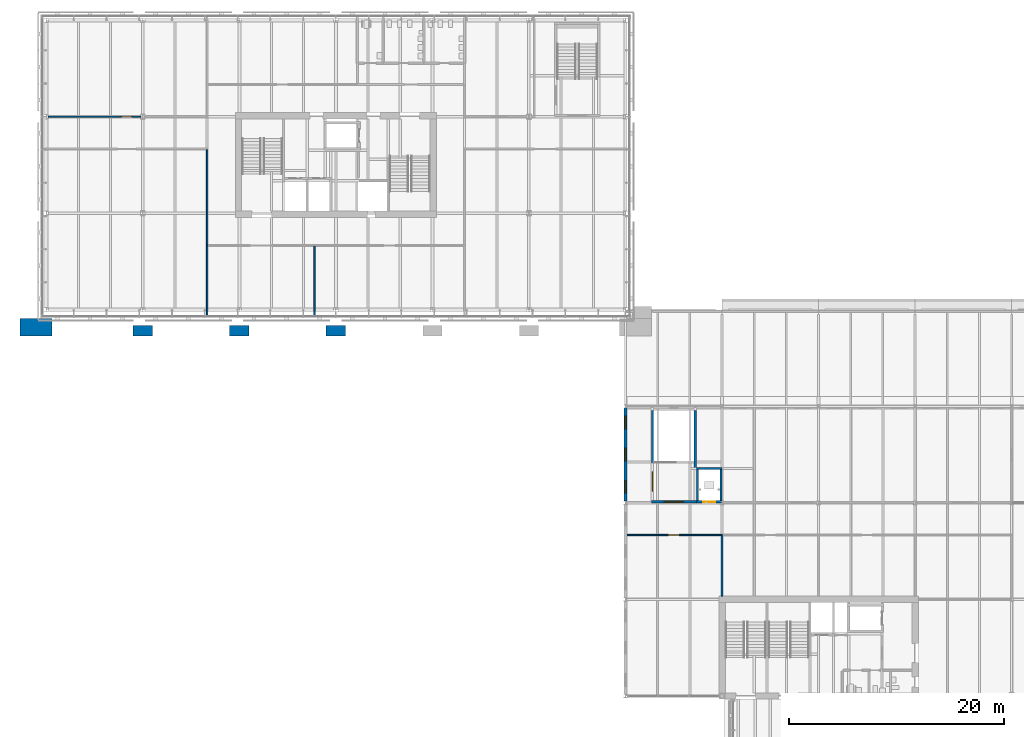
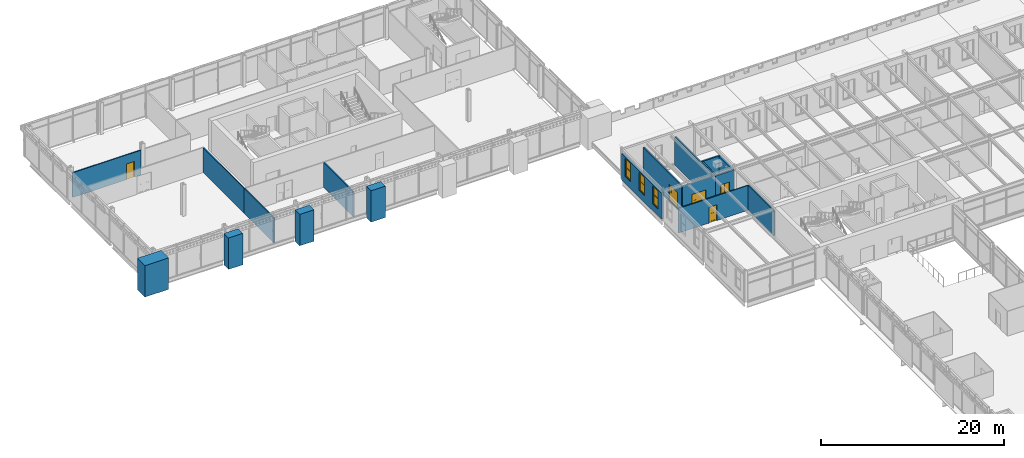
# One storey, part 67 of 123: 18 walls, 5 doors, 3 windows, 8 openings.
"""IFC4 building model written with IfcOpenShell, lengths in metres."""

import ifcopenshell
import ifcopenshell.guid

model = None  # the IFC model being written
_history = None  # IfcOwnerHistory: only IFC2X3 demands one
_inside = {}  # id of a spatial element -> (the spatial element, [elements in it])
_under = {}  # id of a project, library or spatial element -> (it, [spatial elements below it])
_declared = {}  # id of a project -> (the project, [libraries it declares])
_typed = {}  # id of a type object -> (the type object, [elements of that type])
_made_of = {}  # id of a material, layer set ... -> (it, [elements and type objects made of it])


def new_model(schema):
    """Start an empty IFC model of exactly this schema.

    Asked for "IFC4X3", IfcOpenShell would pick the latest addendum, in which some entities
    have other attributes; the version numbers below select the first issue.
    IFC2X3 requires an IfcOwnerHistory on every rooted entity: one is made here for all.
    """
    global model, _history
    if schema == "IFC4X3":
        model = ifcopenshell.file(schema_version=(4, 3, 0, 0))
    else:
        model = ifcopenshell.file(schema=schema)
    _inside.clear()
    _under.clear()
    _declared.clear()
    _typed.clear()
    _made_of.clear()
    _history = None
    if model.schema == "IFC2X3":
        org = make("IfcOrganization", Name="unknown")
        user = make(
            "IfcPersonAndOrganization",
            ThePerson=make("IfcPerson", FamilyName="unknown"),
            TheOrganization=org,
        )
        app = make(
            "IfcApplication",
            ApplicationDeveloper=org,
            Version="unknown",
            ApplicationFullName="unknown",
            ApplicationIdentifier="unknown",
        )
        _history = make(
            "IfcOwnerHistory",
            OwningUser=user,
            OwningApplication=app,
            ChangeAction="ADDED",
            CreationDate=0,
        )
    return model


def make(cls, **values):
    """One entity of the class cls with the attributes given. An attribute that is None is left unset."""
    return model.create_entity(
        cls, **{name: value for name, value in values.items() if value is not None}
    )


def rooted(cls, **values):
    """An entity with a GlobalId (a new one), such as an element, a storey or a relation."""
    return make(cls, GlobalId=ifcopenshell.guid.new(), OwnerHistory=_history, **values)


def si_unit(unit_type, name, prefix=None):
    """IfcSIUnit, for example si_unit("LENGTHUNIT", "METRE", prefix="MILLI")."""
    return make("IfcSIUnit", UnitType=unit_type, Prefix=prefix, Name=name)


def assignment(units):
    """IfcUnitAssignment: the units of a project."""
    return None if units is None else make("IfcUnitAssignment", Units=units)


def point(xyz):
    """IfcCartesianPoint."""
    return None if xyz is None else make("IfcCartesianPoint", Coordinates=xyz)


def direction(xyz):
    """IfcDirection."""
    return None if xyz is None else make("IfcDirection", DirectionRatios=xyz)


def frame(location, z_axis=None, x_axis=None):
    """IfcAxis2Placement3D, a coordinate frame: its origin and axes. An axis left out is left unset."""
    return make(
        "IfcAxis2Placement3D",
        Location=point(location),
        Axis=direction(z_axis),
        RefDirection=direction(x_axis),
    )


def frame_2d(location, x_axis=None):
    """IfcAxis2Placement2D, a coordinate frame in the plane: its origin and x axis."""
    return make(
        "IfcAxis2Placement2D", Location=point(location), RefDirection=direction(x_axis)
    )


def origin():
    """The frame at (0, 0, 0) with its axes left unset."""
    return frame((0.0, 0.0, 0.0))


def place(relative_to, where):
    """IfcLocalPlacement: puts the frame where relative to a parent placement (None: the world)."""
    return make(
        "IfcLocalPlacement", PlacementRelTo=relative_to, RelativePlacement=where
    )


def context(
    kind, dimensions, precision=None, world=None, true_north=None, identifier=None
):
    """IfcGeometricRepresentationContext, for example the 3D "Model" context."""
    return make(
        "IfcGeometricRepresentationContext",
        ContextIdentifier=identifier,
        ContextType=kind,
        CoordinateSpaceDimension=dimensions,
        Precision=precision,
        WorldCoordinateSystem=world,
        TrueNorth=true_north,
    )


def subcontext(parent, identifier, kind, view, scale=None):
    """IfcGeometricRepresentationSubContext, for example "Body" below "Model"."""
    return make(
        "IfcGeometricRepresentationSubContext",
        ContextIdentifier=identifier,
        ContextType=kind,
        ParentContext=parent,
        TargetScale=scale,
        TargetView=view,
    )


def project(units=None, contexts=None):
    """IfcProject with its units and contexts."""
    return rooted(
        "IfcProject",
        Name="project",
        RepresentationContexts=contexts,
        UnitsInContext=assignment(units),
    )


def spatial(cls, under=None, at=None, **own):
    """A site, building, storey or space (cls), placed at a placement, below another one or the project."""
    s = rooted(cls, ObjectPlacement=at, **own)
    if under is not None:
        _under.setdefault(under.id(), (under, []))[1].append(s)
    return s


def polyline(points):
    """IfcPolyline through the points."""
    return make("IfcPolyline", Points=[point(p) for p in points])


def profile(cls, at=None, kind="AREA", **sizes):
    """A parametric profile (cls). Its sizes go by their IFC names, for example OverallWidth=200.0."""
    return make(cls, ProfileType=kind, Position=at, **sizes)


def rectangle(**sizes):
    """IfcRectangleProfileDef."""
    return profile("IfcRectangleProfileDef", **sizes)


def outline(outer, holes=None, kind="AREA"):
    """IfcArbitraryClosedProfileDef: a profile drawn as a closed curve; with holes, ...WithVoids."""
    if holes is None:
        return make("IfcArbitraryClosedProfileDef", ProfileType=kind, OuterCurve=outer)
    return make(
        "IfcArbitraryProfileDefWithVoids",
        ProfileType=kind,
        OuterCurve=outer,
        InnerCurves=holes,
    )


def extrude(swept, where, along, depth):
    """IfcExtrudedAreaSolid: the profile swept, set in the frame where, extruded along a direction by depth."""
    return make(
        "IfcExtrudedAreaSolid",
        SweptArea=swept,
        Position=where,
        ExtrudedDirection=direction(along),
        Depth=depth,
    )


def shape(context_of_items, identifier, shape_type, items):
    """IfcShapeRepresentation: the items that make up one representation, for example the "Body"."""
    return make(
        "IfcShapeRepresentation",
        ContextOfItems=context_of_items,
        RepresentationIdentifier=identifier,
        RepresentationType=shape_type,
        Items=items,
    )


def material(Name=None, Category=None):
    """IfcMaterial."""
    return make("IfcMaterial", Name=Name, Category=Category)


def layer(
    of_material, thickness, ventilated=None, Name=None, Category=None, Priority=None
):
    """IfcMaterialLayer: one layer of a wall or slab, of a material (None: an air gap)."""
    return make(
        "IfcMaterialLayer",
        Material=of_material,
        LayerThickness=thickness,
        IsVentilated=ventilated,
        Name=Name,
        Category=Category,
        Priority=Priority,
    )


def layer_set(layers, Name=None):
    """IfcMaterialLayerSet."""
    return make("IfcMaterialLayerSet", MaterialLayers=layers, LayerSetName=Name)


def made_of(thing, what):
    """Note that an element or type object is made of a material, layer set ...; save() writes the relation."""
    if what is not None:
        _made_of.setdefault(what.id(), (what, []))[1].append(thing)
    return thing


def type_object(cls, material=None, **own):
    """A type object (cls), such as IfcWallType, which elements share."""
    return made_of(rooted(cls, **own), material)


def element(
    cls,
    number,
    at=None,
    inside=None,
    cuts=None,
    type_object=None,
    material=None,
    context=None,
    identifier="Body",
    shape_type=None,
    held_by="IfcProductDefinitionShape",
    body=None,
    shapes=None,
    **own,
):
    """One element of the class cls, such as IfcWall. Its Tag is "e" and its number.

    at: its placement. inside: the storey or other place that contains it. cuts: it is an
    opening in that element (IfcRelVoidsElement). A single representation is given by context,
    identifier, shape_type and body (its items); several are given by shapes. held_by: the class
    of the entity that holds the representations. save() writes the other relations.
    """
    e = rooted(cls, Tag="e%d" % number, ObjectPlacement=at, **own)
    if body is not None:
        shapes = [shape(context, identifier, shape_type, body)]
    if shapes is not None:
        e.Representation = make(held_by, Representations=shapes)
    if inside is not None:
        _inside.setdefault(inside.id(), (inside, []))[1].append(e)
    if cuts is not None:
        rooted(
            "IfcRelVoidsElement", RelatingBuildingElement=cuts, RelatedOpeningElement=e
        )
    if type_object is not None:
        _typed.setdefault(type_object.id(), (type_object, []))[1].append(e)
    return made_of(e, material)


def fill(opening, filler):
    """IfcRelFillsElement: the door or window that sits in an opening."""
    return rooted(
        "IfcRelFillsElement",
        RelatingOpeningElement=opening,
        RelatedBuildingElement=filler,
    )


def aggregate(whole, parts):
    """IfcRelAggregates: a whole, such as a stair, and the parts it consists of."""
    return rooted("IfcRelAggregates", RelatingObject=whole, RelatedObjects=parts)


def save(model, path):
    """Write the relations noted so far, then the file.

    IfcRelAggregates (storeys below a building ...), IfcRelContainedInSpatialStructure (elements
    in a storey), IfcRelDefinesByType, IfcRelAssociatesMaterial and IfcRelDeclares: one each for
    every whole, place, type object, material and project.
    """
    for whole, parts in _under.values():
        aggregate(whole, parts)
    for where, things in _inside.values():
        rooted(
            "IfcRelContainedInSpatialStructure",
            RelatedElements=things,
            RelatingStructure=where,
        )
    for kind, things in _typed.values():
        rooted("IfcRelDefinesByType", RelatedObjects=things, RelatingType=kind)
    for what, things in _made_of.values():
        rooted("IfcRelAssociatesMaterial", RelatedObjects=things, RelatingMaterial=what)
    for by, libraries in _declared.values():
        rooted("IfcRelDeclares", RelatingContext=by, RelatedDefinitions=libraries)
    model.write(path)


model = new_model("IFC4")

# Units and contexts
model_context = context("Model", 3, precision=1e-05, world=origin(), true_north=direction((0.0, 1.0)))
body_context = subcontext(model_context, "Body", "Model", "MODEL_VIEW")
ifc_project = project(units=[si_unit("LENGTHUNIT", "METRE"), si_unit("AREAUNIT", "SQUARE_METRE"), si_unit("VOLUMEUNIT", "CUBIC_METRE"), si_unit("PLANEANGLEUNIT", "RADIAN"), si_unit("MASSUNIT", "GRAM", prefix="KILO")], contexts=[model_context])

# Site, building, storey
site_placement = place(None, origin())
site = spatial("IfcSite", under=ifc_project, at=site_placement, CompositionType="ELEMENT")
building_placement = place(site_placement, origin())
building = spatial("IfcBuilding", under=site, at=building_placement, Name="Baradari Gate Terminus", CompositionType="ELEMENT")
storey_placement = place(building_placement, frame((0.0, 0.0, 7.5)))
storey = spatial("IfcBuildingStorey", under=building, at=storey_placement, Name="L01", CompositionType="ELEMENT", Elevation=7.5)

# Wall
ifc_material_1 = material(Name="Gypsum board")
ifc_layer_1 = layer(ifc_material_1, 0.125)
ifc_layer_set_1 = layer_set([ifc_layer_1], Name="Gypsum board")
wall_type_1 = type_object("IfcWallType", Name="Corridor partition PT-5 125 EI 30", PredefinedType="PARTITIONING", material=ifc_layer_set_1)
wall_1_placement = place(storey_placement, frame((24.0, 123.0, 0.0), z_axis=(0.0, 0.0, 1.0), x_axis=(0.0, 1.0, 0.0)))
element("IfcWall", 1, at=wall_1_placement, inside=storey, type_object=wall_type_1, Name="PT-5 partition Corridor / Staff Training Room", PredefinedType="PARTITIONING", context=body_context, shape_type="SweptSolid", body=[
    extrude(rectangle(XDim=8.9375, YDim=0.125, at=frame_2d((4.46875, 0.0))), origin(), (0.0, 0.0, 1.0), 3.306884765625),
])

# Wall, opening, door
wall_2_placement = place(storey_placement, frame((9.199462890625, 135.0, 0.0), z_axis=(0.0, 0.0, 1.0), x_axis=(1.0, 0.0, 0.0)))
wall_2 = element("IfcWall", 2, at=wall_2_placement, inside=storey, type_object=wall_type_1, Name="PT-5 partition Corridor / Welfare Office", PredefinedType="PARTITIONING", context=body_context, shape_type="SweptSolid", body=[
    extrude(rectangle(XDim=8.594482421875, YDim=0.125, at=frame_2d((4.29736328125, 0.0))), origin(), (0.0, 0.0, 1.0), 3.306884765625),
])
opening_1_placement = place(wall_2_placement, frame((6.800537109375, 0.0, 0.0)))
opening_1 = element("IfcOpeningElement", 3, at=opening_1_placement, cuts=wall_2, Name="Opening D01-029", PredefinedType="OPENING", context=body_context, shape_type="SweptSolid", body=[
    extrude(rectangle(XDim=1.0, YDim=2.10009765625, at=frame_2d((0.5, 1.050048828125))), frame((0.0, 0.072509765625, 0.0), z_axis=(0.0, -1.0, 0.0), x_axis=(1.0, 0.0, 0.0)), (0.0, 0.0, 1.0), 0.14501953125),
])
ifc_material_2 = material(Name="Steel S275", Category="steel")
door_type_1 = type_object("IfcDoorType", Name="Fire door FI-1000-FD30S 1000x2100 FD30S", OperationType="SINGLE_SWING_LEFT", PredefinedType="DOOR", material=ifc_material_2)
door_1_placement = place(opening_1_placement, origin())
door_1 = element("IfcDoor", 4, at=door_1_placement, inside=storey, type_object=door_type_1, Name="Door Welfare Office", OperationType="SINGLE_SWING_RIGHT", OverallHeight=2.1, OverallWidth=1.0, PredefinedType="DOOR", context=body_context, shape_type="SweptSolid", body=[
    extrude(outline(polyline([(0.0, 0.0), (0.070068359375, 0.0), (0.070068359375, 2.030029296875), (0.929931640625, 2.030029296875), (0.929931640625, 0.0), (1.0, 0.0), (1.0, 2.10009765625), (0.0, 2.10009765625), (0.0, 0.0)])), frame((0.0, 0.02490234375, 0.0), z_axis=(0.0, -1.0, 0.0), x_axis=(1.0, 0.0, 0.0)), (0.0, 0.0, 1.0), 0.050048828125),
    extrude(outline(polyline([(0.073974609375, 0.010009765625), (0.926025390625, 0.010009765625), (0.926025390625, 2.026123046875), (0.073974609375, 2.026123046875), (0.073974609375, 0.010009765625)]), holes=[polyline([(0.194091796875, 0.159912109375), (0.805908203125, 0.159912109375), (0.805908203125, 1.010009765625), (0.194091796875, 1.010009765625), (0.194091796875, 0.159912109375)]), polyline([(0.35009765625, 1.159912109375), (0.64990234375, 1.159912109375), (0.64990234375, 1.760009765625), (0.35009765625, 1.760009765625), (0.35009765625, 1.159912109375)])]), frame((0.0, 0.017333984375, 0.0), z_axis=(0.0, -1.0, 0.0), x_axis=(1.0, 0.0, 0.0)), (0.0, 0.0, 1.0), 0.034912109375),
    extrude(rectangle(XDim=0.61181640625, YDim=0.85009765625, at=frame_2d((0.5, 0.5849609375))), frame((0.0, 0.008544921875, 0.0), z_axis=(0.0, -1.0, 0.0), x_axis=(1.0, 0.0, 0.0)), (0.0, 0.0, 1.0), 0.017333984375),
    extrude(rectangle(XDim=0.2998046875, YDim=0.60009765625, at=frame_2d((0.5, 1.4599609375))), frame((0.0, 0.005859375, 0.0), z_axis=(0.0, -1.0, 0.0), x_axis=(1.0, 0.0, 0.0)), (0.0, 0.0, 1.0), 0.011962890625),
])
fill(opening_1, door_1)

wall_3_placement = place(storey_placement, frame((72.0, 96.0, 0.0), z_axis=(0.0, 0.0, 1.0), x_axis=(-1.0, 0.0, 0.0)))
wall_3 = element("IfcWall", 5, at=wall_3_placement, inside=storey, type_object=wall_type_1, Name="PT-5 partition Corridor (Service Corridor West) / Staff Room 2", PredefinedType="PARTITIONING", context=body_context, shape_type="SweptSolid", body=[
    extrude(rectangle(XDim=8.85791015625, YDim=0.125, at=frame_2d((4.428955078125, 0.0))), origin(), (0.0, 0.0, 1.0), 3.306884765625),
])
opening_2_placement = place(wall_3_placement, frame((4.0, 0.0, 0.0)))
opening_2 = element("IfcOpeningElement", 6, at=opening_2_placement, cuts=wall_3, Name="Opening D01-035", PredefinedType="OPENING", context=body_context, shape_type="SweptSolid", body=[
    extrude(rectangle(XDim=1.0, YDim=2.10009765625, at=frame_2d((0.5, 1.050048828125))), frame((0.0, 0.072509765625, 0.0), z_axis=(0.0, -1.0, 0.0), x_axis=(1.0, 0.0, 0.0)), (0.0, 0.0, 1.0), 0.14501953125),
])
door_2_placement = place(opening_2_placement, origin())
door_2 = element("IfcDoor", 7, at=door_2_placement, inside=storey, type_object=door_type_1, Name="Door Staff Room 2", OperationType="SINGLE_SWING_LEFT", OverallHeight=2.1, OverallWidth=1.0, PredefinedType="DOOR", context=body_context, shape_type="SweptSolid", body=[
    extrude(outline(polyline([(0.0, 0.0), (0.070068359375, 0.0), (0.070068359375, 2.030029296875), (0.929931640625, 2.030029296875), (0.929931640625, 0.0), (1.0, 0.0), (1.0, 2.10009765625), (0.0, 2.10009765625), (0.0, 0.0)])), frame((0.0, 0.02490234375, 0.0), z_axis=(0.0, -1.0, 0.0), x_axis=(1.0, 0.0, 0.0)), (0.0, 0.0, 1.0), 0.050048828125),
    extrude(outline(polyline([(0.073974609375, 0.010009765625), (0.926025390625, 0.010009765625), (0.926025390625, 2.026123046875), (0.073974609375, 2.026123046875), (0.073974609375, 0.010009765625)]), holes=[polyline([(0.194091796875, 0.159912109375), (0.805908203125, 0.159912109375), (0.805908203125, 1.010009765625), (0.194091796875, 1.010009765625), (0.194091796875, 0.159912109375)]), polyline([(0.35009765625, 1.159912109375), (0.64990234375, 1.159912109375), (0.64990234375, 1.760009765625), (0.35009765625, 1.760009765625), (0.35009765625, 1.159912109375)])]), frame((0.0, 0.017333984375, 0.0), z_axis=(0.0, -1.0, 0.0), x_axis=(1.0, 0.0, 0.0)), (0.0, 0.0, 1.0), 0.034912109375),
    extrude(rectangle(XDim=0.61181640625, YDim=0.85009765625, at=frame_2d((0.5, 0.5849609375))), frame((0.0, 0.008544921875, 0.0), z_axis=(0.0, -1.0, 0.0), x_axis=(1.0, 0.0, 0.0)), (0.0, 0.0, 1.0), 0.017333984375),
    extrude(rectangle(XDim=0.2998046875, YDim=0.60009765625, at=frame_2d((0.5, 1.4599609375))), frame((0.0, 0.005859375, 0.0), z_axis=(0.0, -1.0, 0.0), x_axis=(1.0, 0.0, 0.0)), (0.0, 0.0, 1.0), 0.011962890625),
])
fill(opening_2, door_2)

# Wall, openings, windows
ifc_material_3 = material(Name="Concrete C40/50 precast", Category="concrete")
ifc_layer_2 = layer(ifc_material_3, 0.23)
ifc_material_4 = material(Name="Reconstituted stone", Category="masonry")
ifc_layer_3 = layer(ifc_material_4, 0.05)
ifc_layer_set_2 = layer_set([ifc_layer_2, ifc_layer_3], Name="Concrete C40/50 precast")
wall_type_2 = type_object("IfcWallType", Name="End wall WE-1 280", PredefinedType="SOLIDWALL", material=ifc_layer_set_2)
wall_4_placement = place(storey_placement, frame((63.0, 99.1572265625, 0.0), z_axis=(0.0, 0.0, 1.0), x_axis=(0.0, 1.0, 0.0)))
wall_4 = element("IfcWall", 8, at=wall_4_placement, inside=storey, type_object=wall_type_2, Name="court end wall HW bay 12 L01", PredefinedType="SOLIDWALL", context=body_context, shape_type="SweptSolid", body=[
    extrude(rectangle(XDim=8.712646484375, YDim=0.280029296875, at=frame_2d((4.3564453125, 0.0))), origin(), (0.0, 0.0, 1.0), 3.516845703125),
])
opening_3_placement = place(wall_4_placement, frame((0.74267578125, 0.0, 0.89990234375)))
opening_3 = element("IfcOpeningElement", 9, at=opening_3_placement, cuts=wall_4, Name="Opening W12", PredefinedType="OPENING", context=body_context, shape_type="SweptSolid", body=[
    extrude(rectangle(XDim=1.199951171875, YDim=2.39990234375, at=frame_2d((0.60009765625, 1.199951171875))), frame((0.0, 0.14990234375, 0.0), z_axis=(0.0, -1.0, 0.0), x_axis=(1.0, 0.0, 0.0)), (0.0, 0.0, 1.0), 0.300048828125),
])
opening_4_placement = place(wall_4_placement, frame((3.74267578125, 0.0, 0.89990234375)))
opening_4 = element("IfcOpeningElement", 10, at=opening_4_placement, cuts=wall_4, Name="Opening W12", PredefinedType="OPENING", context=body_context, shape_type="SweptSolid", body=[
    extrude(rectangle(XDim=1.199951171875, YDim=2.39990234375, at=frame_2d((0.60009765625, 1.199951171875))), frame((0.0, 0.14990234375, 0.0), z_axis=(0.0, -1.0, 0.0), x_axis=(1.0, 0.0, 0.0)), (0.0, 0.0, 1.0), 0.300048828125),
])
opening_5_placement = place(wall_4_placement, frame((6.74267578125, 0.0, 0.89990234375)))
opening_5 = element("IfcOpeningElement", 11, at=opening_5_placement, cuts=wall_4, Name="Opening W12", PredefinedType="OPENING", context=body_context, shape_type="SweptSolid", body=[
    extrude(rectangle(XDim=1.199951171875, YDim=2.39990234375, at=frame_2d((0.60009765625, 1.199951171875))), frame((0.0, 0.14990234375, 0.0), z_axis=(0.0, -1.0, 0.0), x_axis=(1.0, 0.0, 0.0)), (0.0, 0.0, 1.0), 0.300048828125),
])
ifc_material_5 = material(Name="Aluminium 6063-T6", Category="aluminium")
window_type = type_object("IfcWindowType", Name="End-wall window W12 1200x2400", PartitioningType="DOUBLE_PANEL_HORIZONTAL", PredefinedType="WINDOW", material=ifc_material_5)
window_1_placement = place(opening_3_placement, origin())
window_1 = element("IfcWindow", 12, at=window_1_placement, inside=storey, type_object=window_type, Name="Window W12 HW/11", OverallHeight=2.4, OverallWidth=1.2, PartitioningType="DOUBLE_PANEL_HORIZONTAL", PredefinedType="WINDOW", context=body_context, shape_type="SweptSolid", body=[
    extrude(outline(polyline([(0.0, 0.0), (1.199951171875, 0.0), (1.199951171875, 2.39990234375), (0.0, 2.39990234375), (0.0, 0.0)]), holes=[polyline([(0.070068359375, 0.070068359375), (1.1298828125, 0.070068359375), (1.1298828125, 2.329833984375), (0.070068359375, 2.329833984375), (0.070068359375, 0.070068359375)])]), frame((0.0, 0.030029296875, 0.0), z_axis=(0.0, -1.0, 0.0), x_axis=(1.0, 0.0, 0.0)), (0.0, 0.0, 1.0), 0.06005859375),
    extrude(rectangle(XDim=1.059814453125, YDim=0.0400390625, at=frame_2d((0.60009765625, 1.199951171875))), frame((0.0, 0.021484375, 0.0), z_axis=(0.0, -1.0, 0.0), x_axis=(1.0, 0.0, 0.0)), (0.0, 0.0, 1.0), 0.04296875),
    extrude(outline(polyline([(0.070068359375, 0.070068359375), (1.1298828125, 0.070068359375), (1.1298828125, 1.179931640625), (0.070068359375, 1.179931640625), (0.070068359375, 0.070068359375)]), holes=[polyline([(0.10009765625, 0.10009765625), (1.099853515625, 0.10009765625), (1.099853515625, 1.14990234375), (0.10009765625, 1.14990234375), (0.10009765625, 0.10009765625)])]), frame((0.0, 0.0224609375, 0.0), z_axis=(0.0, -1.0, 0.0), x_axis=(1.0, 0.0, 0.0)), (0.0, 0.0, 1.0), 0.044921875),
    extrude(rectangle(XDim=0.999755859375, YDim=1.0498046875, at=frame_2d((0.60009765625, 0.625))), frame((0.0, 0.006103515625, 0.0), z_axis=(0.0, -1.0, 0.0), x_axis=(1.0, 0.0, 0.0)), (0.0, 0.0, 1.0), 0.01220703125),
    extrude(outline(polyline([(0.070068359375, 1.219970703125), (1.1298828125, 1.219970703125), (1.1298828125, 2.329833984375), (0.070068359375, 2.329833984375), (0.070068359375, 1.219970703125)]), holes=[polyline([(0.10009765625, 1.25), (1.099853515625, 1.25), (1.099853515625, 2.2998046875), (0.10009765625, 2.2998046875), (0.10009765625, 1.25)])]), frame((0.0, 0.0224609375, 0.0), z_axis=(0.0, -1.0, 0.0), x_axis=(1.0, 0.0, 0.0)), (0.0, 0.0, 1.0), 0.044921875),
    extrude(rectangle(XDim=0.999755859375, YDim=1.0498046875, at=frame_2d((0.60009765625, 1.77490234375))), frame((0.0, 0.006103515625, 0.0), z_axis=(0.0, -1.0, 0.0), x_axis=(1.0, 0.0, 0.0)), (0.0, 0.0, 1.0), 0.01220703125),
])
fill(opening_3, window_1)
window_2_placement = place(opening_4_placement, origin())
window_2 = element("IfcWindow", 13, at=window_2_placement, inside=storey, type_object=window_type, Name="Window W12 HW/11", OverallHeight=2.4, OverallWidth=1.2, PartitioningType="DOUBLE_PANEL_HORIZONTAL", PredefinedType="WINDOW", context=body_context, shape_type="SweptSolid", body=[
    extrude(outline(polyline([(0.0, 0.0), (1.199951171875, 0.0), (1.199951171875, 2.39990234375), (0.0, 2.39990234375), (0.0, 0.0)]), holes=[polyline([(0.070068359375, 0.070068359375), (1.1298828125, 0.070068359375), (1.1298828125, 2.329833984375), (0.070068359375, 2.329833984375), (0.070068359375, 0.070068359375)])]), frame((0.0, 0.030029296875, 0.0), z_axis=(0.0, -1.0, 0.0), x_axis=(1.0, 0.0, 0.0)), (0.0, 0.0, 1.0), 0.06005859375),
    extrude(rectangle(XDim=1.059814453125, YDim=0.0400390625, at=frame_2d((0.60009765625, 1.199951171875))), frame((0.0, 0.021484375, 0.0), z_axis=(0.0, -1.0, 0.0), x_axis=(1.0, 0.0, 0.0)), (0.0, 0.0, 1.0), 0.04296875),
    extrude(outline(polyline([(0.070068359375, 0.070068359375), (1.1298828125, 0.070068359375), (1.1298828125, 1.179931640625), (0.070068359375, 1.179931640625), (0.070068359375, 0.070068359375)]), holes=[polyline([(0.10009765625, 0.10009765625), (1.099853515625, 0.10009765625), (1.099853515625, 1.14990234375), (0.10009765625, 1.14990234375), (0.10009765625, 0.10009765625)])]), frame((0.0, 0.0224609375, 0.0), z_axis=(0.0, -1.0, 0.0), x_axis=(1.0, 0.0, 0.0)), (0.0, 0.0, 1.0), 0.044921875),
    extrude(rectangle(XDim=0.999755859375, YDim=1.0498046875, at=frame_2d((0.60009765625, 0.625))), frame((0.0, 0.006103515625, 0.0), z_axis=(0.0, -1.0, 0.0), x_axis=(1.0, 0.0, 0.0)), (0.0, 0.0, 1.0), 0.01220703125),
    extrude(outline(polyline([(0.070068359375, 1.219970703125), (1.1298828125, 1.219970703125), (1.1298828125, 2.329833984375), (0.070068359375, 2.329833984375), (0.070068359375, 1.219970703125)]), holes=[polyline([(0.10009765625, 1.25), (1.099853515625, 1.25), (1.099853515625, 2.2998046875), (0.10009765625, 2.2998046875), (0.10009765625, 1.25)])]), frame((0.0, 0.0224609375, 0.0), z_axis=(0.0, -1.0, 0.0), x_axis=(1.0, 0.0, 0.0)), (0.0, 0.0, 1.0), 0.044921875),
    extrude(rectangle(XDim=0.999755859375, YDim=1.0498046875, at=frame_2d((0.60009765625, 1.77490234375))), frame((0.0, 0.006103515625, 0.0), z_axis=(0.0, -1.0, 0.0), x_axis=(1.0, 0.0, 0.0)), (0.0, 0.0, 1.0), 0.01220703125),
])
fill(opening_4, window_2)
window_3_placement = place(opening_5_placement, origin())
window_3 = element("IfcWindow", 14, at=window_3_placement, inside=storey, type_object=window_type, Name="Window W12 HW/11", OverallHeight=2.4, OverallWidth=1.2, PartitioningType="DOUBLE_PANEL_HORIZONTAL", PredefinedType="WINDOW", context=body_context, shape_type="SweptSolid", body=[
    extrude(outline(polyline([(0.0, 0.0), (1.199951171875, 0.0), (1.199951171875, 2.39990234375), (0.0, 2.39990234375), (0.0, 0.0)]), holes=[polyline([(0.070068359375, 0.070068359375), (1.1298828125, 0.070068359375), (1.1298828125, 2.329833984375), (0.070068359375, 2.329833984375), (0.070068359375, 0.070068359375)])]), frame((0.0, 0.030029296875, 0.0), z_axis=(0.0, -1.0, 0.0), x_axis=(1.0, 0.0, 0.0)), (0.0, 0.0, 1.0), 0.06005859375),
    extrude(rectangle(XDim=1.059814453125, YDim=0.0400390625, at=frame_2d((0.60009765625, 1.199951171875))), frame((0.0, 0.021484375, 0.0), z_axis=(0.0, -1.0, 0.0), x_axis=(1.0, 0.0, 0.0)), (0.0, 0.0, 1.0), 0.04296875),
    extrude(outline(polyline([(0.070068359375, 0.070068359375), (1.1298828125, 0.070068359375), (1.1298828125, 1.179931640625), (0.070068359375, 1.179931640625), (0.070068359375, 0.070068359375)]), holes=[polyline([(0.10009765625, 0.10009765625), (1.099853515625, 0.10009765625), (1.099853515625, 1.14990234375), (0.10009765625, 1.14990234375), (0.10009765625, 0.10009765625)])]), frame((0.0, 0.0224609375, 0.0), z_axis=(0.0, -1.0, 0.0), x_axis=(1.0, 0.0, 0.0)), (0.0, 0.0, 1.0), 0.044921875),
    extrude(rectangle(XDim=0.999755859375, YDim=1.0498046875, at=frame_2d((0.60009765625, 0.625))), frame((0.0, 0.006103515625, 0.0), z_axis=(0.0, -1.0, 0.0), x_axis=(1.0, 0.0, 0.0)), (0.0, 0.0, 1.0), 0.01220703125),
    extrude(outline(polyline([(0.070068359375, 1.219970703125), (1.1298828125, 1.219970703125), (1.1298828125, 2.329833984375), (0.070068359375, 2.329833984375), (0.070068359375, 1.219970703125)]), holes=[polyline([(0.10009765625, 1.25), (1.099853515625, 1.25), (1.099853515625, 2.2998046875), (0.10009765625, 2.2998046875), (0.10009765625, 1.25)])]), frame((0.0, 0.0224609375, 0.0), z_axis=(0.0, -1.0, 0.0), x_axis=(1.0, 0.0, 0.0)), (0.0, 0.0, 1.0), 0.044921875),
    extrude(rectangle(XDim=0.999755859375, YDim=1.0498046875, at=frame_2d((0.60009765625, 1.77490234375))), frame((0.0, 0.006103515625, 0.0), z_axis=(0.0, -1.0, 0.0), x_axis=(1.0, 0.0, 0.0)), (0.0, 0.0, 1.0), 0.01220703125),
])
fill(opening_5, window_3)

# Wall, opening, door
ifc_material_6 = material(Name="Blockwork wall, fire rated", Category="masonry")
ifc_layer_4 = layer(ifc_material_6, 0.199951171875)
ifc_layer_set_3 = layer_set([ifc_layer_4], Name="Blockwork wall, fire rated")
wall_type_3 = type_object("IfcWallType", Name="Lift shaft wall SH-1 200 EI 120", PredefinedType="SOLIDWALL", material=ifc_layer_set_3)
wall_5_placement = place(storey_placement, frame((69.60205078125, 99.10009765625, 0.0), z_axis=(0.0, 0.0, 1.0), x_axis=(1.0, 0.0, 0.0)))
wall_5 = element("IfcWall", 15, at=wall_5_placement, inside=storey, type_object=wall_type_3, Name="Lift shaft wall LH1 L01 S", PredefinedType="SOLIDWALL", context=body_context, shape_type="SweptSolid", body=[
    extrude(rectangle(XDim=2.39794921875, YDim=0.199951171875, at=frame_2d((1.198974609375, 0.0))), origin(), (0.0, 0.0, 1.0), 3.51611328125),
])
opening_6_placement = place(wall_5_placement, frame((0.64794921875, 0.0, 0.0)))
opening_6 = element("IfcOpeningElement", 16, at=opening_6_placement, cuts=wall_5, Name="Opening D01-005", PredefinedType="OPENING", context=body_context, shape_type="SweptSolid", body=[
    extrude(rectangle(XDim=1.10009765625, YDim=2.10009765625, at=frame_2d((0.550048828125, 1.050048828125))), frame((0.0, 0.10986328125, 0.0), z_axis=(0.0, -1.0, 0.0), x_axis=(1.0, 0.0, 0.0)), (0.0, 0.0, 1.0), 0.219970703125),
])
ifc_material_7 = material(Name="Stainless steel 1.4301", Category="steel")
door_type_2 = type_object("IfcDoorType", Name="Lift landing door LD 1100x2100 E 120", OperationType="SLIDING_TO_LEFT", PredefinedType="DOOR", material=ifc_material_7)
door_3_placement = place(opening_6_placement, origin())
door_3 = element("IfcDoor", 17, at=door_3_placement, inside=storey, type_object=door_type_2, Name="Lift landing door LH1 L01", OperationType="SLIDING_TO_LEFT", OverallHeight=2.1, OverallWidth=1.1, PredefinedType="DOOR", context=body_context, shape_type="SweptSolid", body=[
    extrude(outline(polyline([(0.0, 0.0), (0.070068359375, 0.0), (0.070068359375, 2.030029296875), (1.030029296875, 2.030029296875), (1.030029296875, 0.0), (1.10009765625, 0.0), (1.10009765625, 2.10009765625), (0.0, 2.10009765625), (0.0, 0.0)])), frame((0.0, 0.02490234375, 0.0), z_axis=(0.0, -1.0, 0.0), x_axis=(1.0, 0.0, 0.0)), (0.0, 0.0, 1.0), 0.050048828125),
    extrude(rectangle(XDim=0.523681640625, YDim=2.01611328125, at=frame_2d((0.3359375, 1.01806640625))), frame((0.0, 0.017822265625, 0.0), z_axis=(0.0, -1.0, 0.0), x_axis=(1.0, 0.0, 0.0)), (0.0, 0.0, 1.0), 0.015869140625),
    extrude(rectangle(XDim=0.519775390625, YDim=2.01611328125, at=frame_2d((0.76611328125, 1.01806640625))), frame((0.0, -0.002197265625, 0.0), z_axis=(0.0, -1.0, 0.0), x_axis=(1.0, 0.0, 0.0)), (0.0, 0.0, 1.0), 0.015869140625),
])
fill(opening_6, door_3)

# Walls
wall_6_placement = place(storey_placement, frame((69.60205078125, 102.199951171875, 0.0), z_axis=(0.0, 0.0, 1.0), x_axis=(1.0, 0.0, 0.0)))
element("IfcWall", 18, at=wall_6_placement, inside=storey, type_object=wall_type_3, Name="Lift shaft wall LH1 L01 N", PredefinedType="SOLIDWALL", context=body_context, shape_type="SweptSolid", body=[
    extrude(rectangle(XDim=2.39794921875, YDim=0.199951171875, at=frame_2d((1.198974609375, 0.0))), origin(), (0.0, 0.0, 1.0), 3.51611328125),
])
for number, where, z_axis, x_axis, name in (
    (19, (69.699951171875, 99.199951171875, 0.0), (0.0, 0.0, 1.0), (0.0, 1.0, 0.0), "Lift shaft wall LH1 L01 W"),
    (20, (71.89990234375, 99.199951171875, 0.0), (0.0, 0.0, 1.0), (0.0, 1.0, 0.0), "Lift shaft wall LH1 L01 E"),
):
    element("IfcWall", number, at=place(storey_placement, frame(where, z_axis=z_axis, x_axis=x_axis)), inside=storey, type_object=wall_type_3, Name=name, PredefinedType="SOLIDWALL", context=body_context, shape_type="SweptSolid", body=[
        extrude(rectangle(XDim=2.900146484375, YDim=0.199951171875, at=frame_2d((1.4501953125, 0.0))), origin(), (0.0, 0.0, 1.0), 3.51611328125),
    ])
ifc_material_8 = material(Name="Blockwork wall, plastered", Category="masonry")
ifc_layer_5 = layer(ifc_material_8, 0.14990234375)
ifc_layer_set_4 = layer_set([ifc_layer_5], Name="Blockwork wall, plastered")
wall_type_4 = type_object("IfcWallType", Name="Partition PT-2 150 EI 60", PredefinedType="PARTITIONING", material=ifc_layer_set_4)
wall_7_placement = place(storey_placement, frame((24.0, 123.0, 0.0), z_axis=(0.0, 0.0, 1.0), x_axis=(0.0, -1.0, 0.0)))
element("IfcWall", 21, at=wall_7_placement, inside=storey, type_object=wall_type_4, Name="PT-2 partition Staff Training Room / Staff Mess", PredefinedType="PARTITIONING", context=body_context, shape_type="SweptSolid", body=[
    extrude(rectangle(XDim=6.550048828125, YDim=0.14990234375, at=frame_2d((3.27490234375, 0.0))), origin(), (0.0, 0.0, 1.0), 3.306884765625),
])
wall_8_placement = place(storey_placement, frame((34.0, 122.9375, 0.0), z_axis=(0.0, 0.0, 1.0), x_axis=(0.0, -1.0, 0.0)))
element("IfcWall", 22, at=wall_8_placement, inside=storey, type_object=wall_type_4, Name="PT-2 partition Staff Mess / Staff Library", PredefinedType="PARTITIONING", context=body_context, shape_type="SweptSolid", body=[
    extrude(rectangle(XDim=6.487548828125, YDim=0.14990234375, at=frame_2d((3.24365234375, 0.0))), origin(), (0.0, 0.0, 1.0), 3.306884765625),
])
wall_9_placement = place(storey_placement, frame((72.0, 95.9375, 0.0), z_axis=(0.0, 0.0, 1.0), x_axis=(0.0, -1.0, 0.0)))
element("IfcWall", 23, at=wall_9_placement, inside=storey, type_object=wall_type_4, Name="PT-2 partition Staff Room 2 / Station Office 1", PredefinedType="PARTITIONING", context=body_context, shape_type="SweptSolid", body=[
    extrude(rectangle(XDim=5.635498046875, YDim=0.14990234375, at=frame_2d((2.81787109375, 0.0))), origin(), (0.0, 0.0, 1.0), 3.306884765625),
])
ifc_layer_6 = layer(ifc_material_3, 1.55)
ifc_material_9 = material(Name="Sandstone cladding", Category="masonry")
ifc_layer_7 = layer(ifc_material_9, 0.1)
ifc_layer_set_5 = layer_set([ifc_layer_6, ifc_layer_7], Name="Concrete C40/50 precast")
wall_type_5 = type_object("IfcWallType", Name="Sandstone-faced precast frame pier WQ-4 1650", PredefinedType="SOLIDWALL", material=ifc_layer_set_5)
wall_10_placement = place(storey_placement, frame((6.554931640625, 115.3798828125, 0.0), z_axis=(0.0, 0.0, 1.0), x_axis=(1.0, 0.0, 0.0)))
element("IfcWall", 24, at=wall_10_placement, inside=storey, type_object=wall_type_5, Name="Corner pilaster SW leg A L01", PredefinedType="SOLIDWALL", context=body_context, shape_type="SweptSolid", body=[
    extrude(rectangle(XDim=3.0, YDim=1.64990234375, at=frame_2d((1.5, 0.0))), origin(), (0.0, 0.0, 1.0), 4.199951171875),
])
ifc_layer_8 = layer(ifc_material_3, 0.9)
ifc_layer_9 = layer(ifc_material_9, 0.1)
ifc_layer_set_6 = layer_set([ifc_layer_8, ifc_layer_9], Name="Concrete C40/50 precast")
wall_type_6 = type_object("IfcWallType", Name="Sandstone-faced precast grid pier WQ-6 1000", PredefinedType="SOLIDWALL", material=ifc_layer_set_6)
for number, where, z_axis, x_axis, name in (
    (25, (17.10009765625, 115.054931640625, 0.0), (0.0, 0.0, 1.0), (1.0, 0.0, 0.0), "Frame pier S face bay 1 a L01"),
    (26, (26.10009765625, 115.054931640625, 0.0), (0.0, 0.0, 1.0), (1.0, 0.0, 0.0), "Frame pier S face bay 1 b L01"),
    (27, (35.10009765625, 115.054931640625, 0.0), (0.0, 0.0, 1.0), (1.0, 0.0, 0.0), "Grid pier S face grid 36 L01"),
):
    element("IfcWall", number, at=place(storey_placement, frame(where, z_axis=z_axis, x_axis=x_axis)), inside=storey, type_object=wall_type_6, Name=name, PredefinedType="SOLIDWALL", context=body_context, shape_type="SweptSolid", body=[
        extrude(rectangle(XDim=1.7998046875, YDim=1.0, at=frame_2d((0.89990234375, 0.0))), origin(), (0.0, 0.0, 1.0), 4.199951171875),
    ])

# Wall, opening, door
ifc_material_10 = material(Name="Concrete C40/50", Category="concrete")
ifc_layer_10 = layer(ifc_material_10, 0.199951171875)
ifc_layer_set_7 = layer_set([ifc_layer_10], Name="Concrete C40/50")
wall_type_7 = type_object("IfcWallType", Name="Stair enclosure wall SE-5 200 EI 120", PredefinedType="SOLIDWALL", material=ifc_layer_set_7)
wall_11_placement = place(storey_placement, frame((65.39990234375, 99.10009765625, -0.1298828125), z_axis=(0.0, 0.0, 1.0), x_axis=(1.0, 0.0, 0.0)))
wall_11 = element("IfcWall", 28, at=wall_11_placement, inside=storey, type_object=wall_type_7, Name="Stair enclosure wall SE-5 ST-H1 L01 S", PredefinedType="SOLIDWALL", context=body_context, shape_type="SweptSolid", body=[
    extrude(rectangle(XDim=4.2001953125, YDim=0.199951171875, at=frame_2d((2.10009765625, 0.0))), origin(), (0.0, 0.0, 1.0), 3.719970703125),
])
opening_7_placement = place(wall_11_placement, frame((1.199951171875, 0.0, 0.1298828125)))
opening_7 = element("IfcOpeningElement", 29, at=opening_7_placement, cuts=wall_11, Name="Opening D01-062", PredefinedType="OPENING", context=body_context, shape_type="SweptSolid", body=[
    extrude(rectangle(XDim=1.800048828125, YDim=2.10009765625, at=frame_2d((0.89990234375, 1.050048828125))), frame((0.0, 0.10986328125, 0.0), z_axis=(0.0, -1.0, 0.0), x_axis=(1.0, 0.0, 0.0)), (0.0, 0.0, 1.0), 0.219970703125),
])
ifc_material_11 = material(Name="Steel S275", Category="steel")
door_type_3 = type_object("IfcDoorType", Name="Fire door FI-1800-FD90S 1800x2100 FD90S", OperationType="DOUBLE_DOOR_SINGLE_SWING", PredefinedType="DOOR", material=ifc_material_11)
door_4_placement = place(opening_7_placement, origin())
door_4 = element("IfcDoor", 30, at=door_4_placement, inside=storey, type_object=door_type_3, Name="Door Stair (Head-house) 1", OperationType="DOUBLE_DOOR_SINGLE_SWING", OverallHeight=2.1, OverallWidth=1.8, PredefinedType="DOOR", context=body_context, shape_type="SweptSolid", body=[
    extrude(outline(polyline([(0.0, 0.0), (0.070068359375, 0.0), (0.070068359375, 2.030029296875), (1.72998046875, 2.030029296875), (1.72998046875, 0.0), (1.800048828125, 0.0), (1.800048828125, 2.10009765625), (0.0, 2.10009765625), (0.0, 0.0)])), frame((0.0, 0.02490234375, 0.0), z_axis=(0.0, -1.0, 0.0), x_axis=(1.0, 0.0, 0.0)), (0.0, 0.0, 1.0), 0.050048828125),
    extrude(outline(polyline([(0.073974609375, 0.010009765625), (0.89697265625, 0.010009765625), (0.89697265625, 2.026123046875), (0.073974609375, 2.026123046875), (0.073974609375, 0.010009765625)]), holes=[polyline([(0.194091796875, 0.159912109375), (0.77685546875, 0.159912109375), (0.77685546875, 1.010009765625), (0.194091796875, 1.010009765625), (0.194091796875, 0.159912109375)]), polyline([(0.33544921875, 1.159912109375), (0.635498046875, 1.159912109375), (0.635498046875, 1.760009765625), (0.33544921875, 1.760009765625), (0.33544921875, 1.159912109375)])]), frame((0.0, 0.017333984375, 0.0), z_axis=(0.0, -1.0, 0.0), x_axis=(1.0, 0.0, 0.0)), (0.0, 0.0, 1.0), 0.034912109375),
    extrude(rectangle(XDim=0.582763671875, YDim=0.85009765625, at=frame_2d((0.4853515625, 0.5849609375))), frame((0.0, 0.008544921875, 0.0), z_axis=(0.0, -1.0, 0.0), x_axis=(1.0, 0.0, 0.0)), (0.0, 0.0, 1.0), 0.017333984375),
    extrude(rectangle(XDim=0.300048828125, YDim=0.60009765625, at=frame_2d((0.4853515625, 1.4599609375))), frame((0.0, 0.005859375, 0.0), z_axis=(0.0, -1.0, 0.0), x_axis=(1.0, 0.0, 0.0)), (0.0, 0.0, 1.0), 0.011962890625),
    extrude(outline(polyline([(0.903076171875, 0.010009765625), (1.72607421875, 0.010009765625), (1.72607421875, 2.026123046875), (0.903076171875, 2.026123046875), (0.903076171875, 0.010009765625)]), holes=[polyline([(1.023193359375, 0.159912109375), (1.60595703125, 0.159912109375), (1.60595703125, 1.010009765625), (1.023193359375, 1.010009765625), (1.023193359375, 0.159912109375)]), polyline([(1.16455078125, 1.159912109375), (1.464599609375, 1.159912109375), (1.464599609375, 1.760009765625), (1.16455078125, 1.760009765625), (1.16455078125, 1.159912109375)])]), frame((0.0, 0.017333984375, 0.0), z_axis=(0.0, -1.0, 0.0), x_axis=(1.0, 0.0, 0.0)), (0.0, 0.0, 1.0), 0.034912109375),
    extrude(rectangle(XDim=0.582763671875, YDim=0.85009765625, at=frame_2d((1.314453125, 0.5849609375))), frame((0.0, 0.008544921875, 0.0), z_axis=(0.0, -1.0, 0.0), x_axis=(1.0, 0.0, 0.0)), (0.0, 0.0, 1.0), 0.017333984375),
    extrude(rectangle(XDim=0.300048828125, YDim=0.60009765625, at=frame_2d((1.314453125, 1.4599609375))), frame((0.0, 0.005859375, 0.0), z_axis=(0.0, -1.0, 0.0), x_axis=(1.0, 0.0, 0.0)), (0.0, 0.0, 1.0), 0.011962890625),
])
fill(opening_7, door_4)

wall_12_placement = place(storey_placement, frame((65.5, 99.199951171875, -0.1298828125), z_axis=(0.0, 0.0, 1.0), x_axis=(0.0, 1.0, 0.0)))
wall_12 = element("IfcWall", 31, at=wall_12_placement, inside=storey, type_object=wall_type_7, Name="Stair enclosure wall SE-5 ST-H1 L01 W", PredefinedType="SOLIDWALL", context=body_context, shape_type="SweptSolid", body=[
    extrude(rectangle(XDim=8.400146484375, YDim=0.199951171875, at=frame_2d((4.2001953125, 0.0))), origin(), (0.0, 0.0, 1.0), 3.719970703125),
])
opening_8_placement = place(wall_12_placement, frame((0.89990234375, 0.0, 0.1298828125)))
opening_8 = element("IfcOpeningElement", 32, at=opening_8_placement, cuts=wall_12, Name="Opening D01-061", PredefinedType="OPENING", context=body_context, shape_type="SweptSolid", body=[
    extrude(rectangle(XDim=1.800048828125, YDim=2.10009765625, at=frame_2d((0.89990234375, 1.050048828125))), frame((0.0, 0.10986328125, 0.0), z_axis=(0.0, -1.0, 0.0), x_axis=(1.0, 0.0, 0.0)), (0.0, 0.0, 1.0), 0.219970703125),
])
door_5_placement = place(opening_8_placement, frame((1.800048828125, 0.0, 0.0), z_axis=(0.0, 0.0, 1.0), x_axis=(-1.0, 0.0, 0.0)))
door_5 = element("IfcDoor", 33, at=door_5_placement, inside=storey, type_object=door_type_3, Name="Door Stair (Head-house) 1", OperationType="DOUBLE_DOOR_SINGLE_SWING", OverallHeight=2.1, OverallWidth=1.8, PredefinedType="DOOR", context=body_context, shape_type="SweptSolid", body=[
    extrude(outline(polyline([(0.0, 0.0), (0.070068359375, 0.0), (0.070068359375, 2.030029296875), (1.72998046875, 2.030029296875), (1.72998046875, 0.0), (1.800048828125, 0.0), (1.800048828125, 2.10009765625), (0.0, 2.10009765625), (0.0, 0.0)])), frame((0.0, 0.02490234375, 0.0), z_axis=(0.0, -1.0, 0.0), x_axis=(1.0, 0.0, 0.0)), (0.0, 0.0, 1.0), 0.050048828125),
    extrude(outline(polyline([(0.073974609375, 0.010009765625), (0.89697265625, 0.010009765625), (0.89697265625, 2.026123046875), (0.073974609375, 2.026123046875), (0.073974609375, 0.010009765625)]), holes=[polyline([(0.194091796875, 0.159912109375), (0.77685546875, 0.159912109375), (0.77685546875, 1.010009765625), (0.194091796875, 1.010009765625), (0.194091796875, 0.159912109375)]), polyline([(0.33544921875, 1.159912109375), (0.635498046875, 1.159912109375), (0.635498046875, 1.760009765625), (0.33544921875, 1.760009765625), (0.33544921875, 1.159912109375)])]), frame((0.0, 0.017333984375, 0.0), z_axis=(0.0, -1.0, 0.0), x_axis=(1.0, 0.0, 0.0)), (0.0, 0.0, 1.0), 0.034912109375),
    extrude(rectangle(XDim=0.582763671875, YDim=0.85009765625, at=frame_2d((0.4853515625, 0.5849609375))), frame((0.0, 0.008544921875, 0.0), z_axis=(0.0, -1.0, 0.0), x_axis=(1.0, 0.0, 0.0)), (0.0, 0.0, 1.0), 0.017333984375),
    extrude(rectangle(XDim=0.300048828125, YDim=0.60009765625, at=frame_2d((0.4853515625, 1.4599609375))), frame((0.0, 0.005859375, 0.0), z_axis=(0.0, -1.0, 0.0), x_axis=(1.0, 0.0, 0.0)), (0.0, 0.0, 1.0), 0.011962890625),
    extrude(outline(polyline([(0.903076171875, 0.010009765625), (1.72607421875, 0.010009765625), (1.72607421875, 2.026123046875), (0.903076171875, 2.026123046875), (0.903076171875, 0.010009765625)]), holes=[polyline([(1.023193359375, 0.159912109375), (1.60595703125, 0.159912109375), (1.60595703125, 1.010009765625), (1.023193359375, 1.010009765625), (1.023193359375, 0.159912109375)]), polyline([(1.16455078125, 1.159912109375), (1.464599609375, 1.159912109375), (1.464599609375, 1.760009765625), (1.16455078125, 1.760009765625), (1.16455078125, 1.159912109375)])]), frame((0.0, 0.017333984375, 0.0), z_axis=(0.0, -1.0, 0.0), x_axis=(1.0, 0.0, 0.0)), (0.0, 0.0, 1.0), 0.034912109375),
    extrude(rectangle(XDim=0.582763671875, YDim=0.85009765625, at=frame_2d((1.314453125, 0.5849609375))), frame((0.0, 0.008544921875, 0.0), z_axis=(0.0, -1.0, 0.0), x_axis=(1.0, 0.0, 0.0)), (0.0, 0.0, 1.0), 0.017333984375),
    extrude(rectangle(XDim=0.300048828125, YDim=0.60009765625, at=frame_2d((1.314453125, 1.4599609375))), frame((0.0, 0.005859375, 0.0), z_axis=(0.0, -1.0, 0.0), x_axis=(1.0, 0.0, 0.0)), (0.0, 0.0, 1.0), 0.011962890625),
])
fill(opening_8, door_5)

# Wall
wall_13_placement = place(storey_placement, frame((69.5, 99.199951171875, -0.1298828125), z_axis=(0.0, 0.0, 1.0), x_axis=(0.0, 1.0, 0.0)))
element("IfcWall", 34, at=wall_13_placement, inside=storey, type_object=wall_type_7, Name="Stair enclosure wall SE-5 ST-H1 L01 E", PredefinedType="SOLIDWALL", context=body_context, shape_type="SweptSolid", body=[
    extrude(rectangle(XDim=8.400146484375, YDim=0.199951171875, at=frame_2d((4.2001953125, 0.0))), origin(), (0.0, 0.0, 1.0), 3.719970703125),
])

save(model, "model.ifc")
